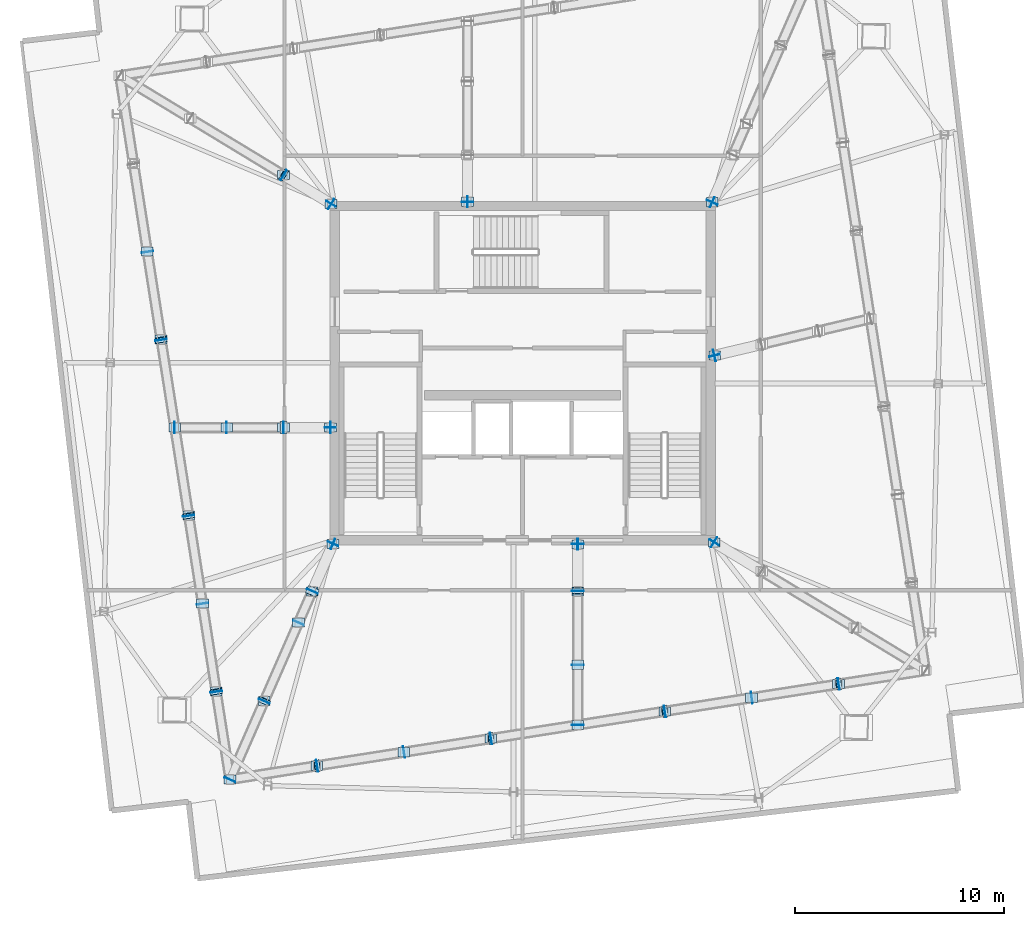
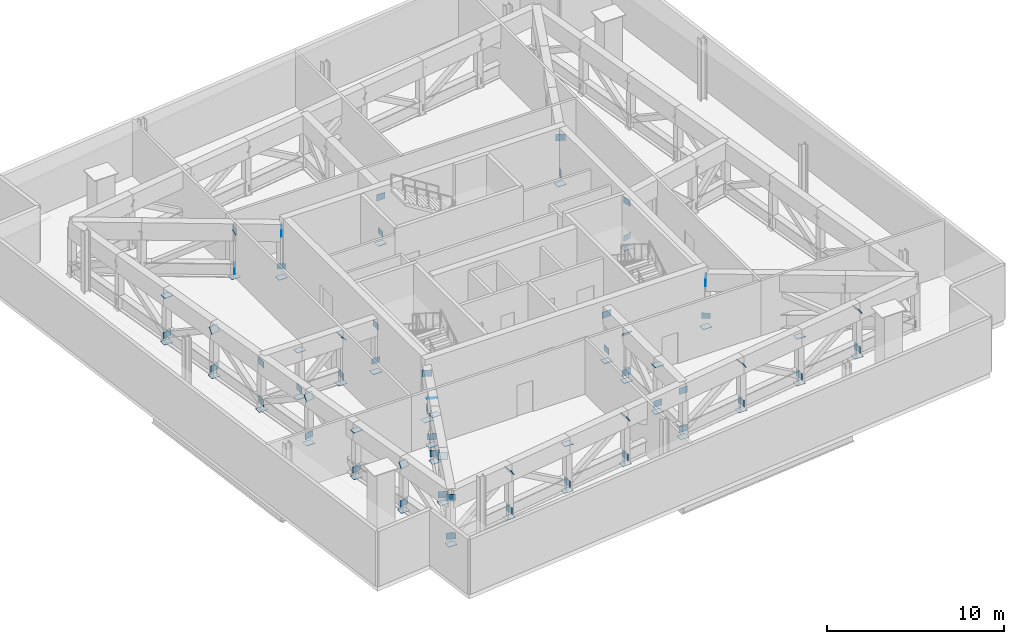
# One storey, part 6 of 13: 90 plates.
"""IFC4 building model written with IfcOpenShell, lengths in metres."""

from ifc_helpers import new_model, si_unit, direction, frame, origin, origin_2d, place, context, subcontext, project, spatial, rectangle, extrude, source, transform, mapped, material, layer, layer_set, type_object, element, save


model = new_model("IFC4")

# Units and contexts
model_context = context("Model", 3, precision=1e-05, world=origin(), true_north=direction((0.0, 1.0)))
body_context = subcontext(model_context, "Body", "Model", "MODEL_VIEW")
ifc_project = project(units=[si_unit("LENGTHUNIT", "METRE"), si_unit("AREAUNIT", "SQUARE_METRE"), si_unit("VOLUMEUNIT", "CUBIC_METRE"), si_unit("PLANEANGLEUNIT", "RADIAN"), si_unit("MASSUNIT", "GRAM", prefix="KILO")], contexts=[model_context])

# Site, building, storey
site_placement = place(None, origin())
site = spatial("IfcSite", under=ifc_project, at=site_placement, CompositionType="ELEMENT")
building_placement = place(site_placement, origin())
building = spatial("IfcBuilding", under=site, at=building_placement, Name="Haldenkirk Collegiate Tower", CompositionType="ELEMENT")
storey_placement = place(building_placement, frame((0.0, 0.0, 352.199951171875)))
storey = spatial("IfcBuildingStorey", under=building, at=storey_placement, Name="L89", CompositionType="ELEMENT", Elevation=352.199951171875)

# Plates
ifc_material = material(Name="Steel ASTM A572 Grade 50", Category="steel")
ifc_layer_1 = layer(ifc_material, 0.028076171875)
ifc_layer_set_1 = layer_set([ifc_layer_1], Name="Steel ASTM A572 Grade 50")
plate_type_1 = type_object("IfcPlateType", Name="PLT-CAP-INT-560X440", PredefinedType="USERDEFINED", material=ifc_layer_set_1)
shared_shape_1 = source(origin(), body_context, "Body", "SweptSolid", [
    extrude(rectangle(XDim=0.56005859375, YDim=0.43994140625, at=origin_2d()), origin(), (0.0, 0.0, 1.0), 0.028076171875),
])
for number, where, z_axis, x_axis, name in (
    (1, (45.173583984375, 17.894775390625, 3.199951171875), (-0.855033530807, 0.518572715437, 0.0), (-0.518572715437, -0.855033530807, 0.0), "Outrigger Truss L89-1 top chord 1 end cap plate 1"),
    (2, (45.1708984375, 17.896240234375, 0.0029296875), (0.0, 0.0, -1.0), (1.0, 0.0, 0.0), "Outrigger Truss L89-1 vertical post 1 end cap plate 1"),
    (3, (45.197509765625, 26.8466796875, 3.199951171875), (-0.973203368783, -0.229946087135, 0.0), (0.229946087135, -0.973203368783, 0.0), "Outrigger Truss L89-2 top chord 1 end cap plate 1"),
    (4, (45.194580078125, 26.845947265625, 0.0029296875), (0.0, 0.0, -1.0), (1.0, 0.0, 0.0), "Outrigger Truss L89-2 vertical post 1 end cap plate 1"),
    (5, (45.081298828125, 34.18603515625, 3.199951171875), (-0.400776027022, -0.916176061772, 0.0), (0.916176061772, -0.400776027022, 0.0), "Outrigger Truss L89-3 top chord 1 end cap plate 1"),
    (6, (45.080078125, 34.18310546875, 0.0029296875), (0.0, 0.0, -1.0), (1.0, 0.0, 0.0), "Outrigger Truss L89-3 vertical post 1 end cap plate 1"),
    (7, (33.3623046875, 34.203125, 3.199951171875), (0.0, -1.0, 0.0), (1.0, 0.0, 0.0), "Outrigger Truss L89-4 top chord 1 end cap plate 1"),
    (8, (33.3623046875, 34.199951171875, 0.0029296875), (0.0, 0.0, -1.0), (1.0, 0.0, 0.0), "Outrigger Truss L89-4 vertical post 1 end cap plate 1"),
    (9, (26.826416015625, 34.105224609375, 3.199951171875), (0.855033530807, -0.518572715437, 0.0), (0.518572715437, 0.855033530807, 0.0), "Outrigger Truss L89-5 top chord 1 end cap plate 1"),
    (10, (24.54736328125, 35.487548828125, 0.550048828125), (0.855030507056, -0.518577701028, 0.0), (0.518577701028, 0.855030507056, 0.0), "Outrigger Truss L89-5 bottom chord 2 end plate 1"),
    (11, (24.547607421875, 35.4873046875, 3.19873046875), (0.762422114772, -0.46241406961, 0.452643068139), (0.518580491611, 0.855028814556, 2.62192e-07), "Outrigger Truss L89-5 web diagonal 2 end cap plate 1"),
    (12, (26.8291015625, 34.103759765625, 0.0029296875), (0.0, 0.0, -1.0), (1.0, 0.0, 0.0), "Outrigger Truss L89-5 vertical post 1 end cap plate 1"),
    (13, (24.550048828125, 35.48583984375, 0.0029296875), (0.0, 0.0, -1.0), (1.0, 0.0, 0.0), "Outrigger Truss L89-5 vertical post 2 end cap plate 1"),
    (14, (26.796875, 23.39306640625, 3.199951171875), (1.0, 0.0, 0.0), (0.0, 1.0, 0.0), "Outrigger Truss L89-6 top chord 1 end cap plate 1"),
    (15, (24.546875, 23.39306640625, 0.550048828125), (1.0, 0.0, 0.0), (0.0, 1.0, 0.0), "Outrigger Truss L89-6 bottom chord 2 end plate 1"),
    (16, (21.83837890625, 23.39306640625, 0.550048828125), (-1.0, 0.0, 0.0), (0.0, -1.0, 0.0), "Outrigger Truss L89-6 bottom chord 2 end plate 2"),
    (17, (24.5478515625, 23.39306640625, 3.197998046875), (0.715582858074, 0.0, 0.698527861456), (0.0, 1.0, 0.0), "Outrigger Truss L89-6 web diagonal 2 end cap plate 1"),
    (18, (19.35595703125, 23.39306640625, 3.199951171875), (-1.0, 0.0, 0.0), (0.0, -1.0, 0.0), "Outrigger Truss L89-6 top chord 3 end cap plate 2"),
    (19, (19.35595703125, 23.39306640625, 0.550048828125), (-1.0, 0.0, 0.0), (0.0, -1.0, 0.0), "Outrigger Truss L89-6 bottom chord 3 end plate 2"),
    (20, (26.800048828125, 23.39306640625, 0.0029296875), (0.0, 0.0, -1.0), (1.0, 0.0, 0.0), "Outrigger Truss L89-6 vertical post 1 end cap plate 1"),
    (21, (24.550048828125, 23.39306640625, 0.0029296875), (0.0, 0.0, -1.0), (1.0, 0.0, 0.0), "Outrigger Truss L89-6 vertical post 2 end cap plate 1"),
    (22, (21.835205078125, 23.39306640625, 0.0029296875), (0.0, 0.0, -1.0), (1.0, 0.0, 0.0), "Outrigger Truss L89-6 vertical post 3 end cap plate 1"),
    (23, (21.835205078125, 23.39306640625, 3.19677734375), (0.0, 0.0, 1.0), (1.0, 0.0, 0.0), "Outrigger Truss L89-6 vertical post 3 end cap plate 2"),
    (24, (19.352783203125, 23.39306640625, 0.0029296875), (0.0, 0.0, -1.0), (1.0, 0.0, 0.0), "Outrigger Truss L89-6 vertical post 4 end cap plate 1"),
    (25, (26.918701171875, 17.81396484375, 3.199951171875), (0.400776027022, 0.916176061772, 0.0), (-0.916176061772, 0.400776027022, 0.0), "Outrigger Truss L89-7 top chord 1 end cap plate 1"),
    (26, (25.927001953125, 15.547119140625, 0.550048828125), (0.400762911974, 0.916181798764, 0.0), (-0.916181798764, 0.400762911974, 0.0), "Outrigger Truss L89-7 bottom chord 2 end plate 1"),
    (27, (25.278076171875, 14.0634765625, 0.550048828125), (-0.400762911974, -0.916181798764, 0.0), (0.916181798764, -0.400762911974, 0.0), "Outrigger Truss L89-7 bottom chord 2 end plate 2"),
    (28, (25.927490234375, 15.548583984375, 3.197509765625), (0.209531983222, 0.47905496164, 0.852409931744), (-0.916195372761, 0.400731879105, -4.24091e-07), "Outrigger Truss L89-7 web diagonal 2 end cap plate 1"),
    (29, (23.635009765625, 10.307373046875, 0.550048828125), (-0.400762911974, -0.916181798764, 0.0), (0.916181798764, -0.400762911974, 0.0), "Outrigger Truss L89-7 bottom chord 3 end plate 2"),
    (30, (23.634521484375, 10.306640625, 3.198486328125), (-0.336581008623, -0.769440019713, 0.542840013907), (0.916178755051, -0.400769870116, -1.3463e-08), "Outrigger Truss L89-7 web diagonal 3 end cap plate 2"),
    (31, (21.991943359375, 6.55126953125, 3.199951171875), (-0.400758820072, -0.916183588663, 0.0), (0.916183588663, -0.400758820072, 0.0), "Outrigger Truss L89-7 top chord 4 end cap plate 2"),
    (32, (21.991943359375, 6.55126953125, 0.550048828125), (-0.400762911974, -0.916181798764, 0.0), (0.916181798764, -0.400762911974, 0.0), "Outrigger Truss L89-7 bottom chord 4 end plate 2"),
    (33, (26.919921875, 17.81689453125, 0.0029296875), (0.0, 0.0, -1.0), (1.0, 0.0, 0.0), "Outrigger Truss L89-7 vertical post 1 end cap plate 1"),
    (34, (25.92822265625, 15.550048828125, 0.0029296875), (0.0, 0.0, -1.0), (1.0, 0.0, 0.0), "Outrigger Truss L89-7 vertical post 2 end cap plate 1"),
    (35, (25.27685546875, 14.060791015625, 0.0029296875), (0.0, 0.0, -1.0), (1.0, 0.0, 0.0), "Outrigger Truss L89-7 vertical post 3 end cap plate 1"),
    (36, (25.27685546875, 14.060791015625, 3.19677734375), (0.0, 0.0, 1.0), (1.0, 0.0, 0.0), "Outrigger Truss L89-7 vertical post 3 end cap plate 2"),
    (37, (23.6337890625, 10.304443359375, 0.0029296875), (0.0, 0.0, -1.0), (1.0, 0.0, 0.0), "Outrigger Truss L89-7 vertical post 4 end cap plate 1"),
    (38, (21.99072265625, 6.54833984375, 0.0029296875), (0.0, 0.0, -1.0), (1.0, 0.0, 0.0), "Outrigger Truss L89-7 vertical post 5 end cap plate 1"),
    (39, (38.6376953125, 17.796875, 3.199951171875), (0.0, 1.0, 0.0), (-1.0, 0.0, 0.0), "Outrigger Truss L89-8 top chord 1 end cap plate 1"),
    (40, (38.6376953125, 15.546875, 0.550048828125), (0.0, 1.0, 0.0), (-1.0, 0.0, 0.0), "Outrigger Truss L89-8 bottom chord 2 end plate 1"),
    (41, (38.6376953125, 12.0400390625, 0.550048828125), (0.0, -1.0, 0.0), (1.0, 0.0, 0.0), "Outrigger Truss L89-8 bottom chord 2 end plate 2"),
    (42, (38.6376953125, 15.547607421875, 3.197998046875), (0.0, 0.798341676277, 0.602204755809), (-1.0, 0.0, 0.0), "Outrigger Truss L89-8 web diagonal 2 end cap plate 1"),
    (43, (38.6376953125, 9.158203125, 3.199951171875), (0.0, -1.0, 0.0), (1.0, 0.0, 0.0), "Outrigger Truss L89-8 top chord 3 end cap plate 2"),
    (44, (38.6376953125, 9.158203125, 0.550048828125), (0.0, -1.0, 0.0), (1.0, 0.0, 0.0), "Outrigger Truss L89-8 bottom chord 3 end plate 2"),
    (45, (38.6376953125, 17.800048828125, 0.0029296875), (0.0, 0.0, -1.0), (1.0, 0.0, 0.0), "Outrigger Truss L89-8 vertical post 1 end cap plate 1"),
    (46, (38.6376953125, 15.550048828125, 0.0029296875), (0.0, 0.0, -1.0), (1.0, 0.0, 0.0), "Outrigger Truss L89-8 vertical post 2 end cap plate 1"),
    (47, (38.6376953125, 12.036865234375, 0.0029296875), (0.0, 0.0, -1.0), (1.0, 0.0, 0.0), "Outrigger Truss L89-8 vertical post 3 end cap plate 1"),
    (48, (38.6376953125, 12.036865234375, 3.19677734375), (0.0, 0.0, 1.0), (1.0, 0.0, 0.0), "Outrigger Truss L89-8 vertical post 3 end cap plate 2"),
    (49, (38.6376953125, 9.1552734375, 0.0029296875), (0.0, 0.0, -1.0), (1.0, 0.0, 0.0), "Outrigger Truss L89-8 vertical post 4 end cap plate 1"),
    (50, (18.033447265625, 31.818359375, 0.550048828125), (0.154709988729, -0.987959928027, 0.0), (0.987959928027, 0.154709988729, 0.0), "Belt Truss L89-5 bottom chord 2 end plate 2"),
    (51, (18.693115234375, 27.607421875, 0.550048828125), (0.154709988729, -0.987959928027, 0.0), (0.987959928027, 0.154709988729, 0.0), "Belt Truss L89-5 bottom chord 3 end plate 2"),
    (52, (18.69287109375, 27.60693359375, 3.198486328125), (0.131400025183, -0.8390241608, 0.52798910119), (0.987957670315, 0.154724405525, -2.80797e-07), "Belt Truss L89-5 web diagonal 3 end cap plate 2"),
    (53, (18.033935546875, 31.8154296875, 0.0029296875), (0.0, 0.0, -1.0), (1.0, 0.0, 0.0), "Belt Truss L89-5 vertical post 3 end cap plate 1"),
    (54, (18.033935546875, 31.8154296875, 3.19677734375), (0.0, 0.0, 1.0), (1.0, 0.0, 0.0), "Belt Truss L89-5 vertical post 3 end cap plate 2"),
    (55, (18.693603515625, 27.604248046875, 0.0029296875), (0.0, 0.0, -1.0), (1.0, 0.0, 0.0), "Belt Truss L89-5 vertical post 4 end cap plate 1"),
    (56, (20.011962890625, 19.184814453125, 0.550048828125), (0.154709988729, -0.987959928027, 0.0), (0.987959928027, 0.154709988729, 0.0), "Belt Truss L89-6 bottom chord 1 end plate 2"),
    (57, (20.011962890625, 19.184326171875, 3.198486328125), (0.131397039885, -0.839030254684, 0.527980160266), (0.987958352194, 0.154720051482, 2.257e-09), "Belt Truss L89-6 web diagonal 1 end cap plate 2"),
    (58, (20.67138671875, 14.973876953125, 0.550048828125), (0.154709988729, -0.987959928027, 0.0), (0.987959928027, 0.154709988729, 0.0), "Belt Truss L89-6 bottom chord 2 end plate 2"),
    (59, (21.330810546875, 10.7626953125, 0.550048828125), (0.154709988729, -0.987959928027, 0.0), (0.987959928027, 0.154709988729, 0.0), "Belt Truss L89-6 bottom chord 3 end plate 2"),
    (60, (21.330810546875, 10.76220703125, 3.198486328125), (0.131397039885, -0.839030254684, 0.527980160266), (0.987958352194, 0.154720051482, 2.257e-09), "Belt Truss L89-6 web diagonal 3 end cap plate 2"),
    (61, (20.012451171875, 19.181884765625, 0.0029296875), (0.0, 0.0, -1.0), (1.0, 0.0, 0.0), "Belt Truss L89-6 vertical post 2 end cap plate 1"),
    (62, (20.671875, 14.970703125, 0.0029296875), (0.0, 0.0, -1.0), (1.0, 0.0, 0.0), "Belt Truss L89-6 vertical post 3 end cap plate 1"),
    (63, (20.671875, 14.970703125, 3.19677734375), (0.0, 0.0, 1.0), (1.0, 0.0, 0.0), "Belt Truss L89-6 vertical post 3 end cap plate 2"),
    (64, (21.331298828125, 10.759521484375, 0.0029296875), (0.0, 0.0, -1.0), (1.0, 0.0, 0.0), "Belt Truss L89-6 vertical post 4 end cap plate 1"),
    (65, (26.1494140625, 7.19970703125, 0.550048828125), (0.987959622331, 0.154711940858, 0.0), (-0.154711940858, 0.987959622331, 0.0), "Belt Truss L89-7 bottom chord 1 end plate 2"),
    (66, (26.14990234375, 7.199462890625, 3.198486328125), (0.836252637087, 0.130949943171, 0.532478768918), (-0.154706045631, 0.98796054549, -7.2594e-08), "Belt Truss L89-7 web diagonal 1 end cap plate 2"),
    (67, (30.311279296875, 7.851318359375, 0.550048828125), (0.987959622331, 0.154711940858, 0.0), (-0.154711940858, 0.987959622331, 0.0), "Belt Truss L89-7 bottom chord 2 end plate 2"),
    (68, (34.472900390625, 8.503173828125, 0.550048828125), (0.987959622331, 0.154711940858, 0.0), (-0.154711940858, 0.987959622331, 0.0), "Belt Truss L89-7 bottom chord 3 end plate 2"),
    (69, (34.473388671875, 8.5029296875, 3.198486328125), (0.836246606355, 0.130951938357, 0.532487749343), (-0.154709347829, 0.987960028389, -2.13419e-07), "Belt Truss L89-7 web diagonal 3 end cap plate 2"),
    (70, (26.152587890625, 7.2001953125, 0.0029296875), (0.0, 0.0, -1.0), (1.0, 0.0, 0.0), "Belt Truss L89-7 vertical post 2 end cap plate 1"),
    (71, (30.314208984375, 7.851806640625, 0.0029296875), (0.0, 0.0, -1.0), (1.0, 0.0, 0.0), "Belt Truss L89-7 vertical post 3 end cap plate 1"),
    (72, (30.314208984375, 7.851806640625, 3.19677734375), (0.0, 0.0, 1.0), (1.0, 0.0, 0.0), "Belt Truss L89-7 vertical post 3 end cap plate 2"),
    (73, (34.47607421875, 8.503662109375, 0.0029296875), (0.0, 0.0, -1.0), (1.0, 0.0, 0.0), "Belt Truss L89-7 vertical post 4 end cap plate 1"),
    (74, (42.796630859375, 9.806396484375, 0.550048828125), (0.987959622331, 0.154711940858, 0.0), (-0.154711940858, 0.987959622331, 0.0), "Belt Truss L89-8 bottom chord 1 end plate 2"),
    (75, (42.797119140625, 9.806396484375, 3.198486328125), (0.836252637087, 0.130949943171, 0.532478768918), (-0.154706045631, 0.98796054549, -7.2594e-08), "Belt Truss L89-8 web diagonal 1 end cap plate 2"),
    (76, (46.958251953125, 10.458251953125, 0.550048828125), (0.987959622331, 0.154711940858, 0.0), (-0.154711940858, 0.987959622331, 0.0), "Belt Truss L89-8 bottom chord 2 end plate 2"),
    (77, (51.1201171875, 11.110107421875, 0.550048828125), (0.987959622331, 0.154711940858, 0.0), (-0.154711940858, 0.987959622331, 0.0), "Belt Truss L89-8 bottom chord 3 end plate 2"),
    (78, (51.12060546875, 11.10986328125, 3.198486328125), (0.836252637087, 0.130949943171, 0.532478768918), (-0.154706045631, 0.98796054549, -7.2594e-08), "Belt Truss L89-8 web diagonal 3 end cap plate 2"),
    (79, (42.799560546875, 9.806884765625, 0.0029296875), (0.0, 0.0, -1.0), (1.0, 0.0, 0.0), "Belt Truss L89-8 vertical post 2 end cap plate 1"),
    (80, (46.961181640625, 10.458740234375, 0.0029296875), (0.0, 0.0, -1.0), (1.0, 0.0, 0.0), "Belt Truss L89-8 vertical post 3 end cap plate 1"),
    (81, (46.961181640625, 10.458740234375, 3.19677734375), (0.0, 0.0, 1.0), (1.0, 0.0, 0.0), "Belt Truss L89-8 vertical post 3 end cap plate 2"),
    (82, (51.123046875, 11.110595703125, 0.0029296875), (0.0, 0.0, -1.0), (1.0, 0.0, 0.0), "Belt Truss L89-8 vertical post 4 end cap plate 1"),
):
    element("IfcPlate", number, at=place(storey_placement, frame(where, z_axis=z_axis, x_axis=x_axis)), inside=storey, type_object=plate_type_1, Name=name, ObjectType="END CAP PLATE", PredefinedType="USERDEFINED", context=body_context, shape_type="MappedRepresentation", body=[
        mapped(shared_shape_1, transform((0.0, 0.0, 0.0), x_axis=(1.0, 0.0, 0.0), y_axis=(0.0, 1.0, 0.0), z_axis=(0.0, 0.0, 1.0), scale=1.0)),
    ])
ifc_layer_2 = layer(ifc_material, 0.031982421875)
ifc_layer_set_2 = layer_set([ifc_layer_2], Name="Steel ASTM A572 Grade 50")
plate_type_2 = type_object("IfcPlateType", Name="PLT-GUSSET-INT-520X380", PredefinedType="USERDEFINED", material=ifc_layer_set_2)
shared_shape_2 = source(origin(), body_context, "Body", "SweptSolid", [
    extrude(rectangle(XDim=0.52001953125, YDim=0.031982421875, at=origin_2d()), origin(), (0.0, 0.0, 1.0), 0.3798828125),
])
for number, where, z_axis, x_axis, name in (
    (83, (45.1708984375, 17.896240234375, 0.550048828125), (0.0, 0.0, 1.0), (0.855030523593, -0.518577673763, 0.0), "Outrigger Truss L89-1 bottom node gusset plate 1"),
    (84, (45.194580078125, 26.845947265625, 0.550048828125), (0.0, 0.0, 1.0), (0.973202149698, 0.229951246621, 0.0), "Outrigger Truss L89-2 bottom node gusset plate 1"),
    (85, (45.080078125, 34.18310546875, 0.550048828125), (0.0, 0.0, 1.0), (0.400762532596, 0.916181964714, 0.0), "Outrigger Truss L89-3 bottom node gusset plate 1"),
    (86, (33.3623046875, 34.199951171875, 0.550048828125), (0.0, 0.0, 1.0), (0.0, 1.0, 0.0), "Outrigger Truss L89-4 bottom node gusset plate 1"),
    (87, (26.8291015625, 34.103759765625, 0.550048828125), (0.0, 0.0, 1.0), (-0.855030523593, 0.518577673763, 0.0), "Outrigger Truss L89-5 bottom node gusset plate 1"),
    (88, (26.800048828125, 23.39306640625, 0.550048828125), (0.0, 0.0, 1.0), (-1.0, 0.0, 0.0), "Outrigger Truss L89-6 bottom node gusset plate 1"),
    (89, (26.919921875, 17.81689453125, 0.550048828125), (0.0, 0.0, 1.0), (-0.400762532596, -0.916181964714, 0.0), "Outrigger Truss L89-7 bottom node gusset plate 1"),
    (90, (38.6376953125, 17.800048828125, 0.550048828125), (0.0, 0.0, 1.0), (0.0, -1.0, 0.0), "Outrigger Truss L89-8 bottom node gusset plate 1"),
):
    element("IfcPlate", number, at=place(storey_placement, frame(where, z_axis=z_axis, x_axis=x_axis)), inside=storey, type_object=plate_type_2, Name=name, ObjectType="GUSSET PLATE", PredefinedType="USERDEFINED", context=body_context, shape_type="MappedRepresentation", body=[
        mapped(shared_shape_2, transform((0.0, 0.0, 0.0), x_axis=(1.0, 0.0, 0.0), y_axis=(0.0, 1.0, 0.0), z_axis=(0.0, 0.0, 1.0), scale=1.0)),
    ])

save(model, "model.ifc")
